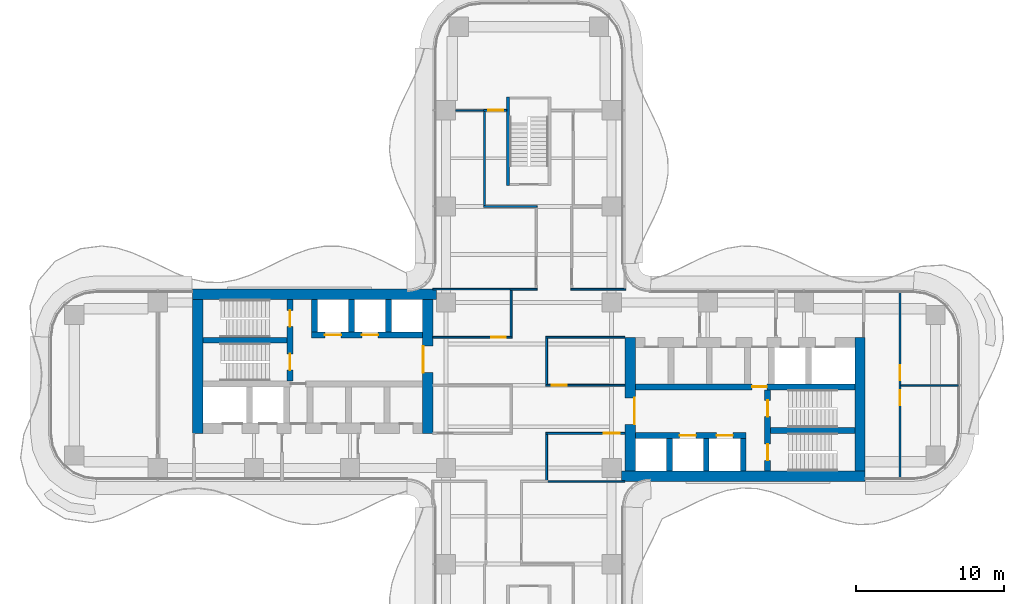
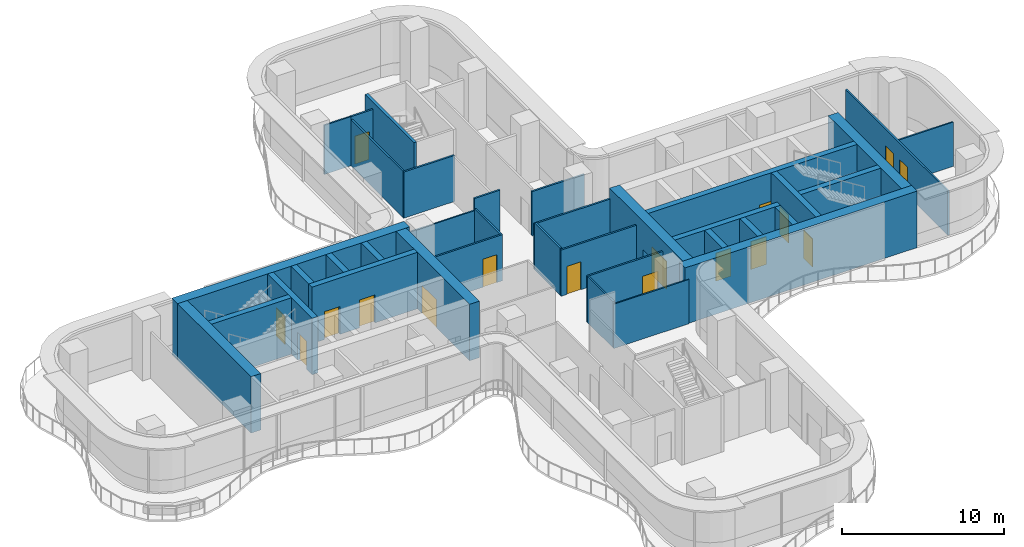
# One storey, part 17 of 21: 37 walls, 17 doors, 17 openings.
"""IFC4 building model written with IfcOpenShell, lengths in metres."""

from ifc_helpers import new_model, si_unit, direction, frame, frame_2d, origin, place, context, subcontext, project, spatial, rectangle, extrude, source, transform, mapped, material, layer, layer_set, type_object, element, fill, save


model = new_model("IFC4")

# Units and contexts
model_context = context("Model", 3, precision=1e-05, world=origin(), true_north=direction((0.0, 1.0)))
body_context = subcontext(model_context, "Body", "Model", "MODEL_VIEW")
ifc_project = project(units=[si_unit("LENGTHUNIT", "METRE"), si_unit("AREAUNIT", "SQUARE_METRE"), si_unit("VOLUMEUNIT", "CUBIC_METRE"), si_unit("PLANEANGLEUNIT", "RADIAN"), si_unit("MASSUNIT", "GRAM", prefix="KILO")], contexts=[model_context])

# Site, building, storey
site_placement = place(None, origin())
site = spatial("IfcSite", under=ifc_project, at=site_placement, CompositionType="ELEMENT")
building_placement = place(site_placement, origin())
building = spatial("IfcBuilding", under=site, at=building_placement, Name="Trellis Farm Tower", CompositionType="ELEMENT")
storey_placement = place(building_placement, frame((0.0, 0.0, 106.5)))
storey = spatial("IfcBuildingStorey", under=building, at=storey_placement, Name="L22", CompositionType="ELEMENT", Elevation=106.5)

# Wall, opening, door
ifc_material_1 = material(Name="Concrete C70/85", Category="concrete")
ifc_layer_1 = layer(ifc_material_1, 0.699951171875)
ifc_layer_set_1 = layer_set([ifc_layer_1], Name="CORE OUTER WALL 700 CONCRETE C70/85")
wall_type_1 = type_object("IfcWallType", Name="CORE OUTER WALL 700 CONCRETE C70/85", PredefinedType="SHEAR", material=ifc_layer_set_1)
shared_shape_1 = source(origin(), body_context, "Body", "SweptSolid", [
    extrude(rectangle(XDim=9.050048828125, YDim=0.699951171875, at=frame_2d((4.52490234375, 0.0))), origin(), (0.0, 0.0, 1.0), 4.25),
])
wall_1_placement = place(storey_placement, frame((6.85009765625, -5.800048828125, 0.0), z_axis=(0.0, 0.0, 1.0), x_axis=(0.0, 1.0, 0.0)))
wall_1 = element("IfcWall", 1, at=wall_1_placement, inside=storey, type_object=wall_type_1, Name="Core wall", PredefinedType="SHEAR", context=body_context, shape_type="MappedRepresentation", body=[
    mapped(shared_shape_1, transform((0.0, 0.0, 0.0))),
])
shared_shape_2 = source(origin(), body_context, "Body", "SweptSolid", [
    extrude(rectangle(XDim=1.800048828125, YDim=2.10009765625, at=frame_2d((0.89990234375, 1.050048828125))), frame((0.0, 0.360107421875, 0.0), z_axis=(0.0, -1.0, 0.0), x_axis=(1.0, 0.0, 0.0)), (0.0, 0.0, 1.0), 0.72021484375),
])
opening_1_placement = place(wall_1_placement, frame((3.14990234375, 0.0, 0.0)))
opening_1 = element("IfcOpeningElement", 2, at=opening_1_placement, cuts=wall_1, Name="Opening DC1", PredefinedType="OPENING", context=body_context, shape_type="MappedRepresentation", body=[
    mapped(shared_shape_2, transform((0.0, 0.0, 0.0))),
])
ifc_material_2 = material(Name="Steel", Category="steel")
door_type_1 = type_object("IfcDoorType", Name="CORE FIRE DOOR DOUBLE 1800 X 2100", OperationType="DOUBLE_DOOR_SINGLE_SWING", PredefinedType="DOOR", material=ifc_material_2)
shared_shape_3 = source(origin(), body_context, "Body", "SweptSolid", [
    extrude(rectangle(XDim=1.800048828125, YDim=2.10009765625, at=frame_2d((0.89990234375, 1.050048828125))), frame((0.0, -0.27490234375, 0.0), z_axis=(0.0, -1.0, 0.0), x_axis=(1.0, 0.0, 0.0)), (0.0, 0.0, 1.0), 0.050048828125),
])
door_1_placement = place(opening_1_placement, origin())
door_1 = element("IfcDoor", 3, at=door_1_placement, inside=storey, type_object=door_type_1, Name="Core door", OperationType="DOUBLE_DOOR_SINGLE_SWING", OverallHeight=2.10009765625, OverallWidth=1.800048828125, PredefinedType="DOOR", context=body_context, shape_type="MappedRepresentation", body=[
    mapped(shared_shape_3, transform((0.0, 0.0, 0.0))),
])
fill(opening_1, door_1)

# Wall
wall_2_placement = place(storey_placement, frame((22.39990234375, -5.800048828125, 0.0), z_axis=(0.0, 0.0, 1.0), x_axis=(0.0, 1.0, 0.0)))
element("IfcWall", 4, at=wall_2_placement, inside=storey, type_object=wall_type_1, Name="Core wall", PredefinedType="SHEAR", context=body_context, shape_type="MappedRepresentation", body=[
    mapped(shared_shape_1, transform((0.0, 0.0, 0.0))),
])

# Wall, opening, door
wall_3_placement = place(storey_placement, frame((-6.85009765625, 5.800048828125, 0.0), z_axis=(0.0, 0.0, 1.0), x_axis=(0.0, -1.0, 0.0)))
wall_3 = element("IfcWall", 5, at=wall_3_placement, inside=storey, type_object=wall_type_1, Name="Core wall", PredefinedType="SHEAR", context=body_context, shape_type="MappedRepresentation", body=[
    mapped(shared_shape_1, transform((0.0, 0.0, 0.0))),
])
opening_2_placement = place(wall_3_placement, frame((3.14990234375, 0.0, 0.0)))
opening_2 = element("IfcOpeningElement", 6, at=opening_2_placement, cuts=wall_3, Name="Opening DC87", PredefinedType="OPENING", context=body_context, shape_type="MappedRepresentation", body=[
    mapped(shared_shape_2, transform((0.0, 0.0, 0.0))),
])
door_2_placement = place(opening_2_placement, origin())
door_2 = element("IfcDoor", 7, at=door_2_placement, inside=storey, type_object=door_type_1, Name="Core door", OperationType="DOUBLE_DOOR_SINGLE_SWING", OverallHeight=2.10009765625, OverallWidth=1.800048828125, PredefinedType="DOOR", context=body_context, shape_type="MappedRepresentation", body=[
    mapped(shared_shape_3, transform((0.0, 0.0, 0.0))),
])
fill(opening_2, door_2)

# Walls
wall_4_placement = place(storey_placement, frame((-22.39990234375, 5.800048828125, 0.0), z_axis=(0.0, 0.0, 1.0), x_axis=(0.0, -1.0, 0.0)))
element("IfcWall", 8, at=wall_4_placement, inside=storey, type_object=wall_type_1, Name="Core wall", PredefinedType="SHEAR", context=body_context, shape_type="MappedRepresentation", body=[
    mapped(shared_shape_1, transform((0.0, 0.0, 0.0))),
])
ifc_layer_2 = layer(ifc_material_1, 0.39990234375)
ifc_layer_set_2 = layer_set([ifc_layer_2], Name="CORE INNER WALL 400 CONCRETE C70/85")
wall_type_2 = type_object("IfcWallType", Name="CORE INNER WALL 400 CONCRETE C70/85", PredefinedType="SHEAR", material=ifc_layer_set_2)
shared_shape_4 = source(origin(), body_context, "Body", "SweptSolid", [
    extrude(rectangle(XDim=2.199951171875, YDim=0.39990234375, at=frame_2d((1.10009765625, 0.0))), origin(), (0.0, 0.0, 1.0), 4.25),
])
for number, where, z_axis, x_axis, name in (
    (9, (9.5, -5.800048828125, 0.0), (0.0, 0.0, 1.0), (0.0, 1.0, 0.0), "Core wall"),
    (10, (12.0, -5.800048828125, 0.0), (0.0, 0.0, 1.0), (0.0, 1.0, 0.0), "Core wall"),
    (11, (14.5, -5.800048828125, 0.0), (0.0, 0.0, 1.0), (0.0, 1.0, 0.0), "Core wall"),
    (12, (-9.5, 5.800048828125, 0.0), (0.0, 0.0, 1.0), (0.0, -1.0, 0.0), "Core wall"),
    (13, (-12.0, 5.800048828125, 0.0), (0.0, 0.0, 1.0), (0.0, -1.0, 0.0), "Core wall"),
    (14, (-14.5, 5.800048828125, 0.0), (0.0, 0.0, 1.0), (0.0, -1.0, 0.0), "Core wall"),
):
    element("IfcWall", number, at=place(storey_placement, frame(where, z_axis=z_axis, x_axis=x_axis)), inside=storey, type_object=wall_type_2, Name=name, PredefinedType="SHEAR", context=body_context, shape_type="MappedRepresentation", body=[
        mapped(shared_shape_4, transform((0.0, 0.0, 0.0))),
    ])

# Wall, openings, doors
shared_shape_5 = source(origin(), body_context, "Body", "SweptSolid", [
    extrude(rectangle(XDim=7.5, YDim=0.39990234375, at=frame_2d((3.75, 0.0))), origin(), (0.0, 0.0, 1.0), 4.25),
])
wall_5_placement = place(storey_placement, frame((7.199951171875, -3.39990234375, 0.0), z_axis=(0.0, 0.0, 1.0), x_axis=(1.0, 0.0, 0.0)))
wall_5 = element("IfcWall", 15, at=wall_5_placement, inside=storey, type_object=wall_type_2, Name="Core wall", PredefinedType="SHEAR", context=body_context, shape_type="MappedRepresentation", body=[
    mapped(shared_shape_5, transform((0.0, 0.0, 0.0))),
])
shared_shape_6 = source(origin(), body_context, "Body", "SweptSolid", [
    extrude(rectangle(XDim=1.10009765625, YDim=2.10009765625, at=frame_2d((0.550048828125, 1.050048828125))), frame((0.0, 0.2099609375, 0.0), z_axis=(0.0, -1.0, 0.0), x_axis=(1.0, 0.0, 0.0)), (0.0, 0.0, 1.0), 0.419921875),
])
opening_3_placement = place(wall_5_placement, frame((3.0, 0.0, 0.0)))
opening_3 = element("IfcOpeningElement", 16, at=opening_3_placement, cuts=wall_5, Name="Opening LD2", PredefinedType="OPENING", context=body_context, shape_type="MappedRepresentation", body=[
    mapped(shared_shape_6, transform((0.0, 0.0, 0.0))),
])
opening_4_placement = place(wall_5_placement, frame((5.5, 0.0, 0.0)))
opening_4 = element("IfcOpeningElement", 17, at=opening_4_placement, cuts=wall_5, Name="Opening LD3", PredefinedType="OPENING", context=body_context, shape_type="MappedRepresentation", body=[
    mapped(shared_shape_6, transform((0.0, 0.0, 0.0))),
])
ifc_material_3 = material(Name="Stainless steel", Category="steel")
door_type_2 = type_object("IfcDoorType", Name="LIFT LANDING DOOR 1100 X 2100", OperationType="DOUBLE_DOOR_SLIDING", PredefinedType="DOOR", material=ifc_material_3)
shared_shape_7 = source(origin(), body_context, "Body", "SweptSolid", [
    extrude(rectangle(XDim=1.10009765625, YDim=2.10009765625, at=frame_2d((0.550048828125, 1.050048828125))), frame((0.0, 0.02490234375, 0.0), z_axis=(0.0, -1.0, 0.0), x_axis=(1.0, 0.0, 0.0)), (0.0, 0.0, 1.0), 0.050048828125),
])
door_3_placement = place(opening_3_placement, origin())
door_3 = element("IfcDoor", 18, at=door_3_placement, inside=storey, type_object=door_type_2, Name="Lift landing door", OperationType="DOUBLE_DOOR_SLIDING", OverallHeight=2.10009765625, OverallWidth=1.10009765625, PredefinedType="DOOR", context=body_context, shape_type="MappedRepresentation", body=[
    mapped(shared_shape_7, transform((0.0, 0.0, 0.0))),
])
fill(opening_3, door_3)
door_4_placement = place(opening_4_placement, origin())
door_4 = element("IfcDoor", 19, at=door_4_placement, inside=storey, type_object=door_type_2, Name="Lift landing door", OperationType="DOUBLE_DOOR_SLIDING", OverallHeight=2.10009765625, OverallWidth=1.10009765625, PredefinedType="DOOR", context=body_context, shape_type="MappedRepresentation", body=[
    mapped(shared_shape_7, transform((0.0, 0.0, 0.0))),
])
fill(opening_4, door_4)

wall_6_placement = place(storey_placement, frame((-7.199951171875, 3.39990234375, 0.0), z_axis=(0.0, 0.0, 1.0), x_axis=(-1.0, 0.0, 0.0)))
wall_6 = element("IfcWall", 20, at=wall_6_placement, inside=storey, type_object=wall_type_2, Name="Core wall", PredefinedType="SHEAR", context=body_context, shape_type="MappedRepresentation", body=[
    mapped(shared_shape_5, transform((0.0, 0.0, 0.0))),
])
opening_5_placement = place(wall_6_placement, frame((3.0, 0.0, 0.0)))
opening_5 = element("IfcOpeningElement", 21, at=opening_5_placement, cuts=wall_6, Name="Opening LD10", PredefinedType="OPENING", context=body_context, shape_type="MappedRepresentation", body=[
    mapped(shared_shape_6, transform((0.0, 0.0, 0.0))),
])
opening_6_placement = place(wall_6_placement, frame((5.5, 0.0, 0.0)))
opening_6 = element("IfcOpeningElement", 22, at=opening_6_placement, cuts=wall_6, Name="Opening LD11", PredefinedType="OPENING", context=body_context, shape_type="MappedRepresentation", body=[
    mapped(shared_shape_6, transform((0.0, 0.0, 0.0))),
])
door_5_placement = place(opening_5_placement, origin())
door_5 = element("IfcDoor", 23, at=door_5_placement, inside=storey, type_object=door_type_2, Name="Lift landing door", OperationType="DOUBLE_DOOR_SLIDING", OverallHeight=2.10009765625, OverallWidth=1.10009765625, PredefinedType="DOOR", context=body_context, shape_type="MappedRepresentation", body=[
    mapped(shared_shape_7, transform((0.0, 0.0, 0.0))),
])
fill(opening_5, door_5)
door_6_placement = place(opening_6_placement, origin())
door_6 = element("IfcDoor", 24, at=door_6_placement, inside=storey, type_object=door_type_2, Name="Lift landing door", OperationType="DOUBLE_DOOR_SLIDING", OverallHeight=2.10009765625, OverallWidth=1.10009765625, PredefinedType="DOOR", context=body_context, shape_type="MappedRepresentation", body=[
    mapped(shared_shape_7, transform((0.0, 0.0, 0.0))),
])
fill(opening_6, door_6)

# Wall, opening, door
shared_shape_8 = source(origin(), body_context, "Body", "SweptSolid", [
    extrude(rectangle(XDim=14.85009765625, YDim=0.39990234375, at=frame_2d((7.425048828125, 0.0))), origin(), (0.0, 0.0, 1.0), 4.25),
])
wall_7_placement = place(storey_placement, frame((7.199951171875, -0.10009765625, 0.0), z_axis=(0.0, 0.0, 1.0), x_axis=(1.0, 0.0, 0.0)))
wall_7 = element("IfcWall", 25, at=wall_7_placement, inside=storey, type_object=wall_type_2, Name="Core wall", PredefinedType="SHEAR", context=body_context, shape_type="MappedRepresentation", body=[
    mapped(shared_shape_8, transform((0.0, 0.0, 0.0))),
])
shared_shape_9 = source(origin(), body_context, "Body", "SweptSolid", [
    extrude(rectangle(XDim=1.0, YDim=2.10009765625, at=frame_2d((0.5, 1.050048828125))), frame((0.0, 0.2099609375, 0.0), z_axis=(0.0, -1.0, 0.0), x_axis=(1.0, 0.0, 0.0)), (0.0, 0.0, 1.0), 0.419921875),
])
opening_7_placement = place(wall_7_placement, frame((7.89990234375, 0.0, 0.0)))
opening_7 = element("IfcOpeningElement", 26, at=opening_7_placement, cuts=wall_7, Name="Opening DC5", PredefinedType="OPENING", context=body_context, shape_type="MappedRepresentation", body=[
    mapped(shared_shape_9, transform((0.0, 0.0, 0.0))),
])
door_type_3 = type_object("IfcDoorType", Name="CORE FIRE DOOR 1000 X 2100", OperationType="NOTDEFINED", PredefinedType="DOOR", material=ifc_material_2)
shared_shape_10 = source(origin(), body_context, "Body", "SweptSolid", [
    extrude(rectangle(XDim=1.0, YDim=2.10009765625, at=frame_2d((0.5, 1.050048828125))), frame((0.0, 0.02490234375, 0.0), z_axis=(0.0, -1.0, 0.0), x_axis=(1.0, 0.0, 0.0)), (0.0, 0.0, 1.0), 0.050048828125),
])
door_7_placement = place(opening_7_placement, origin())
door_7 = element("IfcDoor", 27, at=door_7_placement, inside=storey, type_object=door_type_3, Name="Core door", OperationType="SINGLE_SWING_RIGHT", OverallHeight=2.10009765625, OverallWidth=1.0, PredefinedType="DOOR", context=body_context, shape_type="MappedRepresentation", body=[
    mapped(shared_shape_10, transform((0.0, 0.0, 0.0))),
])
fill(opening_7, door_7)

# Wall, openings, doors
shared_shape_11 = source(origin(), body_context, "Body", "SweptSolid", [
    extrude(rectangle(XDim=5.5, YDim=0.39990234375, at=frame_2d((2.75, 0.0))), origin(), (0.0, 0.0, 1.0), 4.25),
])
wall_8_placement = place(storey_placement, frame((16.14990234375, -5.800048828125, 0.0), z_axis=(0.0, 0.0, 1.0), x_axis=(0.0, 1.0, 0.0)))
wall_8 = element("IfcWall", 28, at=wall_8_placement, inside=storey, type_object=wall_type_2, Name="Core wall", PredefinedType="SHEAR", context=body_context, shape_type="MappedRepresentation", body=[
    mapped(shared_shape_11, transform((0.0, 0.0, 0.0))),
])
opening_8_placement = place(wall_8_placement, frame((0.72509765625, 0.0, 0.0)))
opening_8 = element("IfcOpeningElement", 29, at=opening_8_placement, cuts=wall_8, Name="Opening DC2", PredefinedType="OPENING", context=body_context, shape_type="MappedRepresentation", body=[
    mapped(shared_shape_6, transform((0.0, 0.0, 0.0))),
])
opening_9_placement = place(wall_8_placement, frame((3.675048828125, 0.0, 0.0)))
opening_9 = element("IfcOpeningElement", 30, at=opening_9_placement, cuts=wall_8, Name="Opening DC3", PredefinedType="OPENING", context=body_context, shape_type="MappedRepresentation", body=[
    mapped(shared_shape_6, transform((0.0, 0.0, 0.0))),
])
door_type_4 = type_object("IfcDoorType", Name="CORE FIRE DOOR 1100 X 2100", OperationType="NOTDEFINED", PredefinedType="DOOR", material=ifc_material_2)
door_8_placement = place(opening_8_placement, origin())
door_8 = element("IfcDoor", 31, at=door_8_placement, inside=storey, type_object=door_type_4, Name="Core door", OperationType="SINGLE_SWING_RIGHT", OverallHeight=2.10009765625, OverallWidth=1.10009765625, PredefinedType="DOOR", context=body_context, shape_type="MappedRepresentation", body=[
    mapped(shared_shape_7, transform((0.0, 0.0, 0.0))),
])
fill(opening_8, door_8)
door_9_placement = place(opening_9_placement, origin())
door_9 = element("IfcDoor", 32, at=door_9_placement, inside=storey, type_object=door_type_4, Name="Core door", OperationType="SINGLE_SWING_LEFT", OverallHeight=2.10009765625, OverallWidth=1.10009765625, PredefinedType="DOOR", context=body_context, shape_type="MappedRepresentation", body=[
    mapped(shared_shape_7, transform((0.0, 0.0, 0.0))),
])
fill(opening_9, door_9)

wall_9_placement = place(storey_placement, frame((-16.14990234375, 5.800048828125, 0.0), z_axis=(0.0, 0.0, 1.0), x_axis=(0.0, -1.0, 0.0)))
wall_9 = element("IfcWall", 33, at=wall_9_placement, inside=storey, type_object=wall_type_2, Name="Core wall", PredefinedType="SHEAR", context=body_context, shape_type="MappedRepresentation", body=[
    mapped(shared_shape_11, transform((0.0, 0.0, 0.0))),
])
opening_10_placement = place(wall_9_placement, frame((0.72509765625, 0.0, 0.0)))
opening_10 = element("IfcOpeningElement", 34, at=opening_10_placement, cuts=wall_9, Name="Opening DC88", PredefinedType="OPENING", context=body_context, shape_type="MappedRepresentation", body=[
    mapped(shared_shape_6, transform((0.0, 0.0, 0.0))),
])
opening_11_placement = place(wall_9_placement, frame((3.675048828125, 0.0, 0.0)))
opening_11 = element("IfcOpeningElement", 35, at=opening_11_placement, cuts=wall_9, Name="Opening DC89", PredefinedType="OPENING", context=body_context, shape_type="MappedRepresentation", body=[
    mapped(shared_shape_6, transform((0.0, 0.0, 0.0))),
])
door_10_placement = place(opening_10_placement, origin())
door_10 = element("IfcDoor", 36, at=door_10_placement, inside=storey, type_object=door_type_4, Name="Core door", OperationType="SINGLE_SWING_RIGHT", OverallHeight=2.10009765625, OverallWidth=1.10009765625, PredefinedType="DOOR", context=body_context, shape_type="MappedRepresentation", body=[
    mapped(shared_shape_7, transform((0.0, 0.0, 0.0))),
])
fill(opening_10, door_10)
door_11_placement = place(opening_11_placement, origin())
door_11 = element("IfcDoor", 37, at=door_11_placement, inside=storey, type_object=door_type_4, Name="Core door", OperationType="SINGLE_SWING_LEFT", OverallHeight=2.10009765625, OverallWidth=1.10009765625, PredefinedType="DOOR", context=body_context, shape_type="MappedRepresentation", body=[
    mapped(shared_shape_7, transform((0.0, 0.0, 0.0))),
])
fill(opening_11, door_11)

# Walls
shared_shape_12 = source(origin(), body_context, "Body", "SweptSolid", [
    extrude(rectangle(XDim=5.699951171875, YDim=0.39990234375, at=frame_2d((2.85009765625, 0.0))), origin(), (0.0, 0.0, 1.0), 4.25),
])
for number, where, z_axis, x_axis, name in (
    (38, (16.35009765625, -3.050048828125, 0.0), (0.0, 0.0, 1.0), (1.0, 0.0, 0.0), "Core wall"),
    (39, (-16.35009765625, 3.050048828125, 0.0), (0.0, 0.0, 1.0), (-1.0, 0.0, 0.0), "Core wall"),
):
    element("IfcWall", number, at=place(storey_placement, frame(where, z_axis=z_axis, x_axis=x_axis)), inside=storey, type_object=wall_type_2, Name=name, PredefinedType="SHEAR", context=body_context, shape_type="MappedRepresentation", body=[
        mapped(shared_shape_12, transform((0.0, 0.0, 0.0))),
    ])
shared_shape_13 = source(origin(), body_context, "Body", "SweptSolid", [
    extrude(rectangle(XDim=16.5, YDim=0.699951171875, at=frame_2d((8.25, 0.0))), origin(), (0.0, 0.0, 1.0), 4.25),
])
for number, where, z_axis, x_axis, name in (
    (40, (6.25, -6.14990234375, 0.0), (0.0, 0.0, 1.0), (1.0, 0.0, 0.0), "Core wall"),
    (41, (-6.25, 6.14990234375, 0.0), (0.0, 0.0, 1.0), (-1.0, 0.0, 0.0), "Core wall"),
):
    element("IfcWall", number, at=place(storey_placement, frame(where, z_axis=z_axis, x_axis=x_axis)), inside=storey, type_object=wall_type_1, Name=name, PredefinedType="SHEAR", context=body_context, shape_type="MappedRepresentation", body=[
        mapped(shared_shape_13, transform((0.0, 0.0, 0.0))),
    ])
ifc_layer_3 = layer(ifc_material_1, 0.199951171875)
ifc_layer_set_3 = layer_set([ifc_layer_3], Name="CORE STAIR ENCLOSURE WALL 200 CONCRETE C70/85")
wall_type_3 = type_object("IfcWallType", Name="CORE STAIR ENCLOSURE WALL 200 CONCRETE C70/85", PredefinedType="SHEAR", material=ifc_layer_set_3)
shared_shape_14 = source(origin(), body_context, "Body", "SweptSolid", [
    extrude(rectangle(XDim=6.0, YDim=0.199951171875, at=frame_2d((3.0, 0.0))), origin(), (0.0, 0.0, 1.0), 4.25),
])
wall_10_placement = place(storey_placement, frame((-1.39990234375, 13.5, 0.0), z_axis=(0.0, 0.0, 1.0), x_axis=(0.0, 1.0, 0.0)))
element("IfcWall", 42, at=wall_10_placement, inside=storey, type_object=wall_type_3, Name="Stair enclosure wall", PredefinedType="SHEAR", context=body_context, shape_type="MappedRepresentation", body=[
    mapped(shared_shape_14, transform((0.0, 0.0, 0.0))),
])
ifc_material_4 = material(Name="Plasterboard on steel studs, mineral wool", Category="steel")
ifc_layer_4 = layer(ifc_material_4, 0.125)
ifc_layer_set_4 = layer_set([ifc_layer_4], Name="PARTITION 125 STUD EI 60")
wall_type_4 = type_object("IfcWallType", Name="PARTITION 125 STUD EI 60", PredefinedType="PARTITIONING", material=ifc_layer_set_4)
shared_shape_15 = source(origin(), body_context, "Body", "SweptSolid", [
    extrude(rectangle(XDim=3.125, YDim=0.125, at=frame_2d((1.5625, 0.0))), origin(), (0.0, 0.0, 1.0), 3.54638671875),
])
wall_11_placement = place(storey_placement, frame((1.199951171875, 3.1875, 0.0), z_axis=(0.0, 0.0, 1.0), x_axis=(0.0, -1.0, 0.0)))
element("IfcWall", 43, at=wall_11_placement, inside=storey, type_object=wall_type_4, Name="Partition PW1", PredefinedType="PARTITIONING", context=body_context, shape_type="MappedRepresentation", body=[
    mapped(shared_shape_15, transform((0.0, 0.0, 0.0))),
])

# Wall, opening, door
shared_shape_16 = source(origin(), body_context, "Body", "SweptSolid", [
    extrude(rectangle(XDim=5.362548828125, YDim=0.125, at=frame_2d((2.68115234375, 0.0))), origin(), (0.0, 0.0, 1.0), 3.4677734375),
])
wall_12_placement = place(storey_placement, frame((6.5, -3.25, 0.0), z_axis=(0.0, 0.0, 1.0), x_axis=(-1.0, 0.0, 0.0)))
wall_12 = element("IfcWall", 44, at=wall_12_placement, inside=storey, type_object=wall_type_4, Name="Partition PW1", PredefinedType="PARTITIONING", context=body_context, shape_type="MappedRepresentation", body=[
    mapped(shared_shape_16, transform((0.0, 0.0, 0.0))),
])
shared_shape_17 = source(origin(), body_context, "Body", "SweptSolid", [
    extrude(rectangle(XDim=1.10009765625, YDim=2.10009765625, at=frame_2d((0.550048828125, 1.050048828125))), frame((0.0, 0.072509765625, 0.0), z_axis=(0.0, -1.0, 0.0), x_axis=(1.0, 0.0, 0.0)), (0.0, 0.0, 1.0), 0.14501953125),
])
opening_12_placement = place(wall_12_placement, frame((0.35009765625, 0.0, 0.0)))
opening_12 = element("IfcOpeningElement", 45, at=opening_12_placement, cuts=wall_12, Name="Opening D501", PredefinedType="OPENING", context=body_context, shape_type="MappedRepresentation", body=[
    mapped(shared_shape_17, transform((0.0, 0.0, 0.0))),
])
ifc_material_5 = material(Name="Fire-rated timber door leaf in a hollow metal frame", Category="wood")
door_type_5 = type_object("IfcDoorType", Name="DOOR 1100x2100 FD30S", OperationType="NOTDEFINED", PredefinedType="DOOR", material=ifc_material_5)
door_12_placement = place(opening_12_placement, origin())
door_12 = element("IfcDoor", 46, at=door_12_placement, inside=storey, type_object=door_type_5, Name="Door D501", OperationType="SINGLE_SWING_LEFT", OverallHeight=2.10009765625, OverallWidth=1.10009765625, PredefinedType="DOOR", context=body_context, shape_type="MappedRepresentation", body=[
    mapped(shared_shape_7, transform((0.0, 0.0, 0.0))),
])
fill(opening_12, door_12)

wall_13_placement = place(storey_placement, frame((6.5, 0.0, 0.0), z_axis=(0.0, 0.0, 1.0), x_axis=(-1.0, 0.0, 0.0)))
wall_13 = element("IfcWall", 47, at=wall_13_placement, inside=storey, type_object=wall_type_4, Name="Partition PW1", PredefinedType="PARTITIONING", context=body_context, shape_type="MappedRepresentation", body=[
    mapped(shared_shape_16, transform((0.0, 0.0, 0.0))),
])
shared_shape_18 = source(origin(), body_context, "Body", "SweptSolid", [
    extrude(rectangle(XDim=1.0, YDim=2.10009765625, at=frame_2d((0.5, 1.050048828125))), frame((0.0, 0.072509765625, 0.0), z_axis=(0.0, -1.0, 0.0), x_axis=(1.0, 0.0, 0.0)), (0.0, 0.0, 1.0), 0.14501953125),
])
opening_13_placement = place(wall_13_placement, frame((3.949951171875, 0.0, 0.0)))
opening_13 = element("IfcOpeningElement", 48, at=opening_13_placement, cuts=wall_13, Name="Opening D106", PredefinedType="OPENING", context=body_context, shape_type="MappedRepresentation", body=[
    mapped(shared_shape_18, transform((0.0, 0.0, 0.0))),
])
door_type_6 = type_object("IfcDoorType", Name="DOOR 1000x2100 FD30S", OperationType="NOTDEFINED", PredefinedType="DOOR", material=ifc_material_5)
door_13_placement = place(opening_13_placement, origin())
door_13 = element("IfcDoor", 49, at=door_13_placement, inside=storey, type_object=door_type_6, Name="Door D106", OperationType="SINGLE_SWING_RIGHT", OverallHeight=2.10009765625, OverallWidth=1.0, PredefinedType="DOOR", context=body_context, shape_type="MappedRepresentation", body=[
    mapped(shared_shape_10, transform((0.0, 0.0, 0.0))),
])
fill(opening_13, door_13)

wall_14_placement = place(storey_placement, frame((-6.5, 3.25, 0.0), z_axis=(0.0, 0.0, 1.0), x_axis=(1.0, 0.0, 0.0)))
wall_14 = element("IfcWall", 50, at=wall_14_placement, inside=storey, type_object=wall_type_4, Name="Partition PW1", PredefinedType="PARTITIONING", context=body_context, shape_type="MappedRepresentation", body=[
    mapped(shared_shape_16, transform((0.0, 0.0, 0.0))),
])
opening_14_placement = place(wall_14_placement, frame((3.949951171875, 0.0, 0.0)))
opening_14 = element("IfcOpeningElement", 51, at=opening_14_placement, cuts=wall_14, Name="Opening D108", PredefinedType="OPENING", context=body_context, shape_type="MappedRepresentation", body=[
    mapped(shared_shape_18, transform((0.0, 0.0, 0.0))),
])
door_14_placement = place(opening_14_placement, origin())
door_14 = element("IfcDoor", 52, at=door_14_placement, inside=storey, type_object=door_type_6, Name="Door D108", OperationType="SINGLE_SWING_RIGHT", OverallHeight=2.10009765625, OverallWidth=1.0, PredefinedType="DOOR", context=body_context, shape_type="MappedRepresentation", body=[
    mapped(shared_shape_10, transform((0.0, 0.0, 0.0))),
])
fill(opening_14, door_14)

# Walls
wall_15_placement = place(storey_placement, frame((1.137451171875, 3.25, 0.0), z_axis=(0.0, 0.0, 1.0), x_axis=(1.0, 0.0, 0.0)))
element("IfcWall", 53, at=wall_15_placement, inside=storey, type_object=wall_type_4, Name="Partition PW1", PredefinedType="PARTITIONING", context=body_context, shape_type="MappedRepresentation", body=[
    mapped(shared_shape_16, transform((0.0, 0.0, 0.0))),
])
shared_shape_19 = source(origin(), body_context, "Body", "SweptSolid", [
    extrude(rectangle(XDim=3.137451171875, YDim=0.125, at=frame_2d((1.56884765625, 0.0))), origin(), (0.0, 0.0, 1.0), 3.4677734375),
])
for number, where, z_axis, x_axis, name in (
    (54, (-1.199951171875, 6.449951171875, 0.0), (0.0, 0.0, 1.0), (0.0, -1.0, 0.0), "Partition PW1"),
    (55, (1.199951171875, -3.3125, 0.0), (0.0, 0.0, 1.0), (0.0, -1.0, 0.0), "Partition PW1"),
):
    element("IfcWall", number, at=place(storey_placement, frame(where, z_axis=z_axis, x_axis=x_axis)), inside=storey, type_object=wall_type_4, Name=name, PredefinedType="PARTITIONING", context=body_context, shape_type="MappedRepresentation", body=[
        mapped(shared_shape_19, transform((0.0, 0.0, 0.0))),
    ])
ifc_material_6 = material(Name="Plasterboard on steel studs", Category="steel")
ifc_layer_5 = layer(ifc_material_6, 0.10009765625)
ifc_layer_set_5 = layer_set([ifc_layer_5], Name="PARTITION 100 STUD EI 30")
wall_type_5 = type_object("IfcWallType", Name="PARTITION 100 STUD EI 30", PredefinedType="PARTITIONING", material=ifc_layer_set_5)
shared_shape_20 = source(origin(), body_context, "Body", "SweptSolid", [
    extrude(rectangle(XDim=5.362548828125, YDim=0.10009765625, at=frame_2d((2.68115234375, 0.0))), origin(), (0.0, 0.0, 1.0), 3.330078125),
])
for number, where, z_axis, x_axis, name in (
    (56, (1.137451171875, -6.5, 0.0), (0.0, 0.0, 1.0), (1.0, 0.0, 0.0), "Partition PW2"),
    (57, (-6.5, 6.5, 0.0), (0.0, 0.0, 1.0), (1.0, 0.0, 0.0), "Partition PW2"),
):
    element("IfcWall", number, at=place(storey_placement, frame(where, z_axis=z_axis, x_axis=x_axis)), inside=storey, type_object=wall_type_5, Name=name, PredefinedType="PARTITIONING", context=body_context, shape_type="MappedRepresentation", body=[
        mapped(shared_shape_20, transform((0.0, 0.0, 0.0))),
    ])

# Wall, opening, door
shared_shape_21 = source(origin(), body_context, "Body", "SweptSolid", [
    extrude(rectangle(XDim=1.5625, YDim=0.125, at=frame_2d((0.78125, 0.0))), origin(), (0.0, 0.0, 1.0), 3.697021484375),
])
wall_16_placement = place(storey_placement, frame((-3.0625, 18.60009765625, 0.0), z_axis=(0.0, 0.0, 1.0), x_axis=(1.0, 0.0, 0.0)))
wall_16 = element("IfcWall", 58, at=wall_16_placement, inside=storey, type_object=wall_type_4, Name="Partition PW1", PredefinedType="PARTITIONING", context=body_context, shape_type="MappedRepresentation", body=[
    mapped(shared_shape_21, transform((0.0, 0.0, 0.0))),
])
opening_15_placement = place(wall_16_placement, frame((0.3125, 0.0, 0.0)))
opening_15 = element("IfcOpeningElement", 59, at=opening_15_placement, cuts=wall_16, Name="Opening D110", PredefinedType="OPENING", context=body_context, shape_type="MappedRepresentation", body=[
    mapped(shared_shape_18, transform((0.0, 0.0, 0.0))),
])
door_15_placement = place(opening_15_placement, origin())
door_15 = element("IfcDoor", 60, at=door_15_placement, inside=storey, type_object=door_type_6, Name="Door D110", OperationType="SINGLE_SWING_RIGHT", OverallHeight=2.10009765625, OverallWidth=1.0, PredefinedType="DOOR", context=body_context, shape_type="MappedRepresentation", body=[
    mapped(shared_shape_10, transform((0.0, 0.0, 0.0))),
])
fill(opening_15, door_15)

# Walls
shared_shape_22 = source(origin(), body_context, "Body", "SweptSolid", [
    extrude(rectangle(XDim=6.387451171875, YDim=0.125, at=frame_2d((3.19384765625, 0.0))), origin(), (0.0, 0.0, 1.0), 3.4677734375),
])
wall_17_placement = place(storey_placement, frame((-3.0, 12.16259765625, 0.0), z_axis=(0.0, 0.0, 1.0), x_axis=(0.0, 1.0, 0.0)))
element("IfcWall", 61, at=wall_17_placement, inside=storey, type_object=wall_type_4, Name="Partition PW1", PredefinedType="PARTITIONING", context=body_context, shape_type="MappedRepresentation", body=[
    mapped(shared_shape_22, transform((0.0, 0.0, 0.0))),
])
shared_shape_23 = source(origin(), body_context, "Body", "SweptSolid", [
    extrude(rectangle(XDim=1.824951171875, YDim=0.125, at=frame_2d((0.91259765625, 0.0))), origin(), (0.0, 0.0, 1.0), 4.25),
])
wall_18_placement = place(storey_placement, frame((-1.262451171875, 6.5, 0.0), z_axis=(0.0, 0.0, 1.0), x_axis=(1.0, 0.0, 0.0)))
element("IfcWall", 62, at=wall_18_placement, inside=storey, type_object=wall_type_4, Name="Partition PW1", PredefinedType="PARTITIONING", context=body_context, shape_type="MappedRepresentation", body=[
    mapped(shared_shape_23, transform((0.0, 0.0, 0.0))),
])
shared_shape_24 = source(origin(), body_context, "Body", "SweptSolid", [
    extrude(rectangle(XDim=3.72509765625, YDim=0.125, at=frame_2d((1.862548828125, 0.0))), origin(), (0.0, 0.0, 1.0), 3.330078125),
])
wall_19_placement = place(storey_placement, frame((2.83740234375, 6.5, 0.0), z_axis=(0.0, 0.0, 1.0), x_axis=(1.0, 0.0, 0.0)))
element("IfcWall", 63, at=wall_19_placement, inside=storey, type_object=wall_type_4, Name="Partition PW1", PredefinedType="PARTITIONING", context=body_context, shape_type="MappedRepresentation", body=[
    mapped(shared_shape_24, transform((0.0, 0.0, 0.0))),
])
shared_shape_25 = source(origin(), body_context, "Body", "SweptSolid", [
    extrude(rectangle(XDim=3.625, YDim=0.125, at=frame_2d((1.8125, 0.0))), origin(), (0.0, 0.0, 1.0), 3.4677734375),
])
wall_20_placement = place(storey_placement, frame((0.5625, 12.10009765625, 0.0), z_axis=(0.0, 0.0, 1.0), x_axis=(-1.0, 0.0, 0.0)))
element("IfcWall", 64, at=wall_20_placement, inside=storey, type_object=wall_type_4, Name="Partition PW1", PredefinedType="PARTITIONING", context=body_context, shape_type="MappedRepresentation", body=[
    mapped(shared_shape_25, transform((0.0, 0.0, 0.0))),
])
shared_shape_26 = source(origin(), body_context, "Body", "SweptSolid", [
    extrude(rectangle(XDim=2.012451171875, YDim=0.10009765625, at=frame_2d((1.00634765625, 0.0))), origin(), (0.0, 0.0, 1.0), 3.697021484375),
])
wall_21_placement = place(storey_placement, frame((-4.949951171875, 18.60009765625, 0.0), z_axis=(0.0, 0.0, 1.0), x_axis=(1.0, 0.0, 0.0)))
element("IfcWall", 65, at=wall_21_placement, inside=storey, type_object=wall_type_5, Name="Partition PW2", PredefinedType="PARTITIONING", context=body_context, shape_type="MappedRepresentation", body=[
    mapped(shared_shape_26, transform((0.0, 0.0, 0.0))),
])

# Wall, openings, doors
shared_shape_27 = source(origin(), body_context, "Body", "SweptSolid", [
    extrude(rectangle(XDim=12.60009765625, YDim=0.125, at=frame_2d((6.300048828125, 0.0))), origin(), (0.0, 0.0, 1.0), 3.330078125),
])
wall_22_placement = place(storey_placement, frame((25.10009765625, 6.300048828125, 0.0), z_axis=(0.0, 0.0, 1.0), x_axis=(0.0, -1.0, 0.0)))
wall_22 = element("IfcWall", 66, at=wall_22_placement, inside=storey, type_object=wall_type_4, Name="Partition PW1", PredefinedType="PARTITIONING", context=body_context, shape_type="MappedRepresentation", body=[
    mapped(shared_shape_27, transform((0.0, 0.0, 0.0))),
])
opening_16_placement = place(wall_22_placement, frame((6.64990234375, 0.0, 0.0)))
opening_16 = element("IfcOpeningElement", 67, at=opening_16_placement, cuts=wall_22, Name="Opening D105", PredefinedType="OPENING", context=body_context, shape_type="MappedRepresentation", body=[
    mapped(shared_shape_18, transform((0.0, 0.0, 0.0))),
])
opening_17_placement = place(wall_22_placement, frame((4.949951171875, 0.0, 0.0)))
opening_17 = element("IfcOpeningElement", 68, at=opening_17_placement, cuts=wall_22, Name="Opening D107", PredefinedType="OPENING", context=body_context, shape_type="MappedRepresentation", body=[
    mapped(shared_shape_18, transform((0.0, 0.0, 0.0))),
])
door_16_placement = place(opening_16_placement, origin())
door_16 = element("IfcDoor", 69, at=door_16_placement, inside=storey, type_object=door_type_6, Name="Door D105", OperationType="SINGLE_SWING_LEFT", OverallHeight=2.10009765625, OverallWidth=1.0, PredefinedType="DOOR", context=body_context, shape_type="MappedRepresentation", body=[
    mapped(shared_shape_10, transform((0.0, 0.0, 0.0))),
])
fill(opening_16, door_16)
door_17_placement = place(opening_17_placement, origin())
door_17 = element("IfcDoor", 70, at=door_17_placement, inside=storey, type_object=door_type_6, Name="Door D107", OperationType="SINGLE_SWING_RIGHT", OverallHeight=2.10009765625, OverallWidth=1.0, PredefinedType="DOOR", context=body_context, shape_type="MappedRepresentation", body=[
    mapped(shared_shape_10, transform((0.0, 0.0, 0.0))),
])
fill(opening_17, door_17)

# Wall
shared_shape_28 = source(origin(), body_context, "Body", "SweptSolid", [
    extrude(rectangle(XDim=3.887451171875, YDim=0.10009765625, at=frame_2d((1.94384765625, 0.0))), origin(), (0.0, 0.0, 1.0), 3.330078125),
])
wall_23_placement = place(storey_placement, frame((25.16259765625, 0.0, 0.0), z_axis=(0.0, 0.0, 1.0), x_axis=(1.0, 0.0, 0.0)))
element("IfcWall", 71, at=wall_23_placement, inside=storey, type_object=wall_type_5, Name="Partition PW2", PredefinedType="PARTITIONING", context=body_context, shape_type="MappedRepresentation", body=[
    mapped(shared_shape_28, transform((0.0, 0.0, 0.0))),
])

save(model, "model.ifc")
